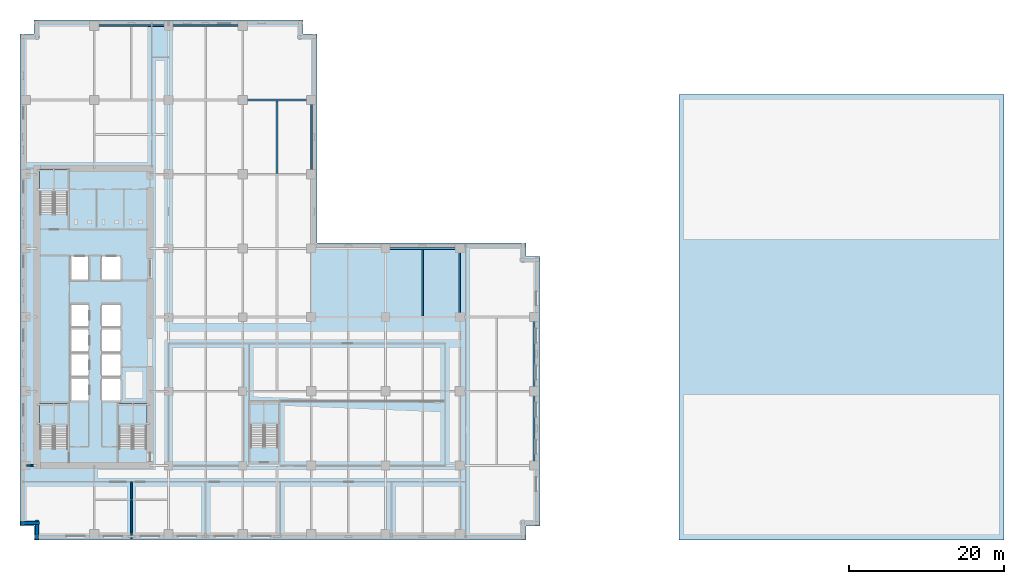
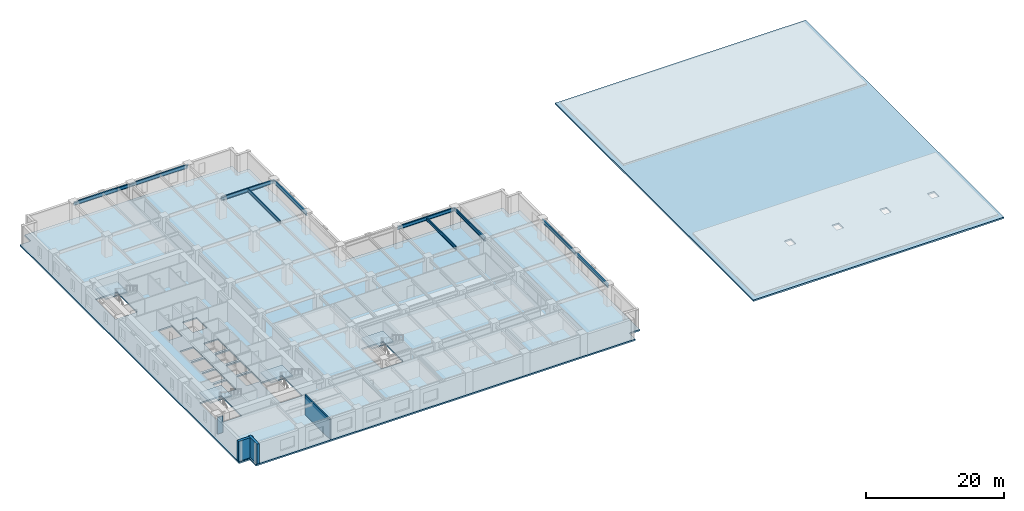
# One storey, part 3 of 14: 10 beams, 6 slabs, 4 walls, 4 elements without a shape of their own.
"""IFC4 building model written with IfcOpenShell, lengths in metres."""

from ifc_helpers import new_model, si_unit, direction, frame, frame_2d, origin, origin_2d, place, context, subcontext, project, spatial, polyline, rectangle, i_section, outline, extrude, material, layer, layer_set, material_profile, profile_set, type_object, element, aggregate, save


model = new_model("IFC4")

# Units and contexts
model_context = context("Model", 3, precision=1e-05, world=origin(), true_north=direction((0.0, 1.0)))
body_context = subcontext(model_context, "Body", "Model", "MODEL_VIEW")
ifc_project = project(units=[si_unit("LENGTHUNIT", "METRE"), si_unit("AREAUNIT", "SQUARE_METRE"), si_unit("VOLUMEUNIT", "CUBIC_METRE"), si_unit("PLANEANGLEUNIT", "RADIAN"), si_unit("MASSUNIT", "GRAM", prefix="KILO")], contexts=[model_context])

# Site, building, storey
site_placement = place(None, origin())
site = spatial("IfcSite", under=ifc_project, at=site_placement, CompositionType="ELEMENT")
building_placement = place(site_placement, origin())
building = spatial("IfcBuilding", under=site, at=building_placement, Name="Norrvale University Quadrangle", CompositionType="ELEMENT")
storey_placement = place(building_placement, frame((0.0, 0.0, 24.199951171875)))
storey = spatial("IfcBuildingStorey", under=building, at=storey_placement, Name="L05", CompositionType="ELEMENT", Elevation=24.199951171875)

# Beams
ifc_material_1 = material(Name="Steel 350W", Category="steel")
ifc_material_profile_1 = material_profile(ifc_material_1, i_section(OverallWidth=0.208984375, OverallDepth=0.532958984375, WebThickness=0.01025390625, FlangeThickness=0.015625, FilletRadius=0.013916015625, at=origin_2d()), Name="Steel 350W")
ifc_profile_set_1 = profile_set([ifc_material_profile_1], Name="Steel 350W")
beam_type_1 = type_object("IfcBeamType", Name="Beam Floor W530x92", PredefinedType="JOIST", material=ifc_profile_set_1)
beam_1_placement = place(storey_placement, frame((33.22509765625, 47.364990234375, 3.2734375), z_axis=(0.0, 1.0, 0.0), x_axis=(-1.0, 0.0, 0.0)))
element("IfcBeam", 1, at=beam_1_placement, inside=storey, type_object=beam_type_1, Name="Beam Floor W530x92 BM-L05-J091", PredefinedType="JOIST", context=body_context, shape_type="SweptSolid", body=[
    extrude(i_section(OverallWidth=0.208984375, OverallDepth=0.532958984375, WebThickness=0.01025390625, FlangeThickness=0.015625, FilletRadius=0.013916015625, at=origin_2d()), origin(), (0.0, 0.0, 1.0), 9.3701171875),
])
beam_2_placement = place(storey_placement, frame((52.050048828125, 28.9150390625, 3.2734375), z_axis=(0.0, 1.0, 0.0), x_axis=(-1.0, 0.0, 0.0)))
element("IfcBeam", 2, at=beam_2_placement, inside=storey, type_object=beam_type_1, Name="Beam Floor W530x92 BM-L05-J099", PredefinedType="JOIST", context=body_context, shape_type="SweptSolid", body=[
    extrude(i_section(OverallWidth=0.208984375, OverallDepth=0.532958984375, WebThickness=0.01025390625, FlangeThickness=0.015625, FilletRadius=0.013916015625, at=origin_2d()), origin(), (0.0, 0.0, 1.0), 8.619873046875),
])
ifc_material_profile_2 = material_profile(ifc_material_1, i_section(OverallWidth=0.22998046875, OverallDepth=0.616943359375, WebThickness=0.01318359375, FlangeThickness=0.022216796875, FilletRadius=0.01611328125, at=origin_2d()), Name="Steel 350W")
ifc_profile_set_2 = profile_set([ifc_material_profile_2], Name="Steel 350W")
beam_type_2 = type_object("IfcBeamType", Name="Beam Floor W610x140", PredefinedType="BEAM", material=ifc_profile_set_2)
beam_3_placement = place(storey_placement, frame((47.25, 37.64990234375, 3.2314453125), z_axis=(1.0, 0.0, 0.0), x_axis=(0.0, 1.0, 0.0)))
element("IfcBeam", 3, at=beam_3_placement, inside=storey, type_object=beam_type_2, Name="Beam Floor W610x140 BM-L05-GX024", PredefinedType="BEAM", context=body_context, shape_type="SweptSolid", body=[
    extrude(i_section(OverallWidth=0.22998046875, OverallDepth=0.616943359375, WebThickness=0.01318359375, FlangeThickness=0.022216796875, FilletRadius=0.01611328125, at=origin_2d()), origin(), (0.0, 0.0, 1.0), 9.60009765625),
])
beam_4_placement = place(storey_placement, frame((28.800048828125, 56.85009765625, 3.2314453125), z_axis=(1.0, 0.0, 0.0), x_axis=(0.0, 1.0, 0.0)))
element("IfcBeam", 4, at=beam_4_placement, inside=storey, type_object=beam_type_2, Name="Beam Floor W610x140 BM-L05-GX030", PredefinedType="BEAM", context=body_context, shape_type="SweptSolid", body=[
    extrude(i_section(OverallWidth=0.22998046875, OverallDepth=0.616943359375, WebThickness=0.01318359375, FlangeThickness=0.022216796875, FilletRadius=0.01611328125, at=origin_2d()), origin(), (0.0, 0.0, 1.0), 8.849853515625),
])
beam_5_placement = place(storey_placement, frame((9.60009765625, 66.449951171875, 3.2314453125), z_axis=(1.0, 0.0, 0.0), x_axis=(0.0, 1.0, 0.0)))
element("IfcBeam", 5, at=beam_5_placement, inside=storey, type_object=beam_type_2, Name="Beam Floor W610x140 BM-L05-GX031", PredefinedType="BEAM", context=body_context, shape_type="SweptSolid", body=[
    extrude(i_section(OverallWidth=0.22998046875, OverallDepth=0.616943359375, WebThickness=0.01318359375, FlangeThickness=0.022216796875, FilletRadius=0.01611328125, at=origin_2d()), origin(), (0.0, 0.0, 1.0), 9.599853515625),
])
for number, where, z_axis, x_axis, name in (
    (6, (19.199951171875, 66.449951171875, 3.2314453125), (1.0, 0.0, 0.0), (0.0, 1.0, 0.0), "Beam Floor W610x140 BM-L05-GX032"),
    (7, (37.64990234375, 47.25, 3.2314453125), (0.0, 1.0, 0.0), (-1.0, 0.0, 0.0), "Beam Floor W610x140 BM-L05-GY058"),
):
    element("IfcBeam", number, at=place(storey_placement, frame(where, z_axis=z_axis, x_axis=x_axis)), inside=storey, type_object=beam_type_2, Name=name, PredefinedType="BEAM", context=body_context, shape_type="SweptSolid", body=[
        extrude(i_section(OverallWidth=0.22998046875, OverallDepth=0.616943359375, WebThickness=0.01318359375, FlangeThickness=0.022216796875, FilletRadius=0.01611328125, at=origin_2d()), origin(), (0.0, 0.0, 1.0), 9.60009765625),
    ])
beam_6_placement = place(storey_placement, frame((56.85009765625, 28.800048828125, 3.2314453125), z_axis=(0.0, 1.0, 0.0), x_axis=(-1.0, 0.0, 0.0)))
element("IfcBeam", 8, at=beam_6_placement, inside=storey, type_object=beam_type_2, Name="Beam Floor W610x140 BM-L05-GY066", PredefinedType="BEAM", context=body_context, shape_type="SweptSolid", body=[
    extrude(i_section(OverallWidth=0.22998046875, OverallDepth=0.616943359375, WebThickness=0.01318359375, FlangeThickness=0.022216796875, FilletRadius=0.01611328125, at=origin_2d()), origin(), (0.0, 0.0, 1.0), 8.849853515625),
])
beam_7_placement = place(storey_placement, frame((66.449951171875, 9.60009765625, 3.2314453125), z_axis=(0.0, 1.0, 0.0), x_axis=(-1.0, 0.0, 0.0)))
element("IfcBeam", 9, at=beam_7_placement, inside=storey, type_object=beam_type_2, Name="Beam Floor W610x140 BM-L05-GY067", PredefinedType="BEAM", context=body_context, shape_type="SweptSolid", body=[
    extrude(i_section(OverallWidth=0.22998046875, OverallDepth=0.616943359375, WebThickness=0.01318359375, FlangeThickness=0.022216796875, FilletRadius=0.01611328125, at=origin_2d()), origin(), (0.0, 0.0, 1.0), 9.599853515625),
])
beam_8_placement = place(storey_placement, frame((66.449951171875, 19.199951171875, 3.2314453125), z_axis=(0.0, 1.0, 0.0), x_axis=(-1.0, 0.0, 0.0)))
element("IfcBeam", 10, at=beam_8_placement, inside=storey, type_object=beam_type_2, Name="Beam Floor W610x140 BM-L05-GY068", PredefinedType="BEAM", context=body_context, shape_type="SweptSolid", body=[
    extrude(i_section(OverallWidth=0.22998046875, OverallDepth=0.616943359375, WebThickness=0.01318359375, FlangeThickness=0.022216796875, FilletRadius=0.01611328125, at=origin_2d()), origin(), (0.0, 0.0, 1.0), 9.60009765625),
])

# Stair, slab
ifc_material_2 = material(Name="Concrete C40/50", Category="concrete")
stair_type = type_object("IfcStairType", Name="Stair Tower Typ 3800", PredefinedType="TWO_STRAIGHT_RUN_STAIR", material=ifc_material_2)
stair_1_placement = place(storey_placement, origin())
stair_1 = element("IfcStair", 11, at=stair_1_placement, inside=storey, type_object=stair_type, Name="Exit Stair ST-01 L05", PredefinedType="TWO_STRAIGHT_RUN_STAIR")
ifc_layer_1 = layer(ifc_material_2, 0.199951171875, Name="Concrete C40/50")
ifc_layer_set_1 = layer_set([ifc_layer_1], Name="Concrete C40/50")
slab_type_1 = type_object("IfcSlabType", Name="Slab Landing 200", PredefinedType="LANDING", material=ifc_layer_set_1)
slab_1_placement = place(storey_placement, frame((0.0, 0.0, 1.699951171875)))
slab_1 = element("IfcSlab", 12, at=slab_1_placement, type_object=slab_type_1, Name="Exit Stair ST-01 L05 Mid Landing", PredefinedType="LANDING", context=body_context, shape_type="SweptSolid", body=[
    extrude(outline(polyline([(2.550048828125, 14.590087890625), (6.199951171875, 14.590087890625), (6.199951171875, 17.64990234375), (2.550048828125, 17.64990234375), (2.550048828125, 14.590087890625)])), origin(), (0.0, 0.0, 1.0), 0.2001953125),
])
aggregate(stair_1, [slab_1])

stair_2_placement = place(storey_placement, origin())
stair_2 = element("IfcStair", 13, at=stair_2_placement, inside=storey, type_object=stair_type, Name="Exit Stair ST-02 L05", PredefinedType="TWO_STRAIGHT_RUN_STAIR")
slab_2_placement = place(storey_placement, frame((0.0, 0.0, 1.699951171875)))
slab_2 = element("IfcSlab", 14, at=slab_2_placement, type_object=slab_type_1, Name="Exit Stair ST-02 L05 Mid Landing", PredefinedType="LANDING", context=body_context, shape_type="SweptSolid", body=[
    extrude(outline(polyline([(2.550048828125, 44.889892578125), (6.199951171875, 44.889892578125), (6.199951171875, 47.949951171875), (2.550048828125, 47.949951171875), (2.550048828125, 44.889892578125)])), origin(), (0.0, 0.0, 1.0), 0.2001953125),
])
aggregate(stair_2, [slab_2])

stair_3_placement = place(storey_placement, origin())
stair_3 = element("IfcStair", 15, at=stair_3_placement, inside=storey, type_object=stair_type, Name="Exit Stair ST-03 L05", PredefinedType="TWO_STRAIGHT_RUN_STAIR")
slab_3_placement = place(storey_placement, frame((0.0, 0.0, 1.699951171875)))
slab_3 = element("IfcSlab", 16, at=slab_3_placement, type_object=slab_type_1, Name="Exit Stair ST-03 L05 Mid Landing", PredefinedType="LANDING", context=body_context, shape_type="SweptSolid", body=[
    extrude(outline(polyline([(12.75, 14.590087890625), (16.39990234375, 14.590087890625), (16.39990234375, 17.64990234375), (12.75, 17.64990234375), (12.75, 14.590087890625)])), origin(), (0.0, 0.0, 1.0), 0.2001953125),
])
aggregate(stair_3, [slab_3])

stair_4_placement = place(storey_placement, origin())
stair_4 = element("IfcStair", 17, at=stair_4_placement, inside=storey, type_object=stair_type, Name="Exit Stair ST-04 L05", PredefinedType="TWO_STRAIGHT_RUN_STAIR")
slab_4_placement = place(storey_placement, frame((0.0, 0.0, 1.699951171875)))
slab_4 = element("IfcSlab", 18, at=slab_4_placement, type_object=slab_type_1, Name="Exit Stair ST-04 L05 Mid Landing", PredefinedType="LANDING", context=body_context, shape_type="SweptSolid", body=[
    extrude(outline(polyline([(29.75, 14.739990234375), (33.39990234375, 14.739990234375), (33.39990234375, 17.800048828125), (29.75, 17.800048828125), (29.75, 14.739990234375)])), origin(), (0.0, 0.0, 1.0), 0.2001953125),
])
aggregate(stair_4, [slab_4])

# Slabs
ifc_material_3 = material(Name="Concrete C50/60", Category="concrete")
ifc_layer_2 = layer(ifc_material_3, 0.280029296875, Name="Concrete C50/60")
ifc_layer_set_2 = layer_set([ifc_layer_2], Name="Concrete C50/60")
slab_type_2 = type_object("IfcSlabType", Name="Slab Main Roof 280", PredefinedType="ROOF", material=ifc_layer_set_2)
slab_5_placement = place(storey_placement, frame((0.0, 0.0, -0.280029296875)))
element("IfcSlab", 19, at=slab_5_placement, inside=storey, type_object=slab_type_2, Name="Central Library Main Skylight Roof Slab", PredefinedType="ROOF", context=body_context, shape_type="SweptSolid", body=[
    extrude(outline(polyline([(85.199951171875, 0.0), (127.199951171875, 0.0), (127.199951171875, 57.60009765625), (85.199951171875, 57.60009765625), (85.199951171875, 0.0)]), holes=[polyline([(96.550048828125, 9.300048828125), (97.64990234375, 9.300048828125), (97.64990234375, 10.699951171875), (96.550048828125, 10.699951171875), (96.550048828125, 9.300048828125)]), polyline([(104.550048828125, 9.300048828125), (105.64990234375, 9.300048828125), (105.64990234375, 10.699951171875), (104.550048828125, 10.699951171875), (104.550048828125, 9.300048828125)]), polyline([(112.550048828125, 9.300048828125), (113.64990234375, 9.300048828125), (113.64990234375, 10.699951171875), (112.550048828125, 10.699951171875), (112.550048828125, 9.300048828125)]), polyline([(120.550048828125, 9.300048828125), (121.64990234375, 9.300048828125), (121.64990234375, 10.699951171875), (120.550048828125, 10.699951171875), (120.550048828125, 9.300048828125)])]), origin(), (0.0, 0.0, 1.0), 0.280029296875),
])
ifc_layer_3 = layer(ifc_material_2, 0.260009765625, Name="Concrete C40/50")
ifc_layer_set_3 = layer_set([ifc_layer_3], Name="Concrete C40/50")
slab_type_3 = type_object("IfcSlabType", Name="Slab Tower Typ 260", PredefinedType="FLOOR", material=ifc_layer_set_3)
slab_6_placement = place(storey_placement, frame((0.0, 0.0, -0.260009765625)))
element("IfcSlab", 20, at=slab_6_placement, inside=storey, type_object=slab_type_3, Name="Tower L05 Floor Slab", PredefinedType="FLOOR", context=body_context, shape_type="SweptSolid", body=[
    extrude(outline(polyline([(1.800048828125, 0.0), (65.39990234375, 0.0), (65.39990234375, 1.800048828125), (67.199951171875, 1.800048828125), (67.199951171875, 36.60009765625), (65.39990234375, 36.60009765625), (65.39990234375, 38.39990234375), (38.39990234375, 38.39990234375), (38.39990234375, 65.39990234375), (36.60009765625, 65.39990234375), (36.60009765625, 67.199951171875), (1.800048828125, 67.199951171875), (1.800048828125, 65.39990234375), (0.0, 65.39990234375), (0.0, 1.800048828125), (1.800048828125, 1.800048828125), (1.800048828125, 0.0)]), holes=[polyline([(2.550048828125, 11.81005859375), (6.199951171875, 11.81005859375), (6.199951171875, 17.64990234375), (2.550048828125, 17.64990234375), (2.550048828125, 11.81005859375)]), polyline([(2.550048828125, 42.110107421875), (6.199951171875, 42.110107421875), (6.199951171875, 47.949951171875), (2.550048828125, 47.949951171875), (2.550048828125, 42.110107421875)]), polyline([(12.75, 11.81005859375), (16.39990234375, 11.81005859375), (16.39990234375, 17.64990234375), (12.75, 17.64990234375), (12.75, 11.81005859375)]), polyline([(29.75, 11.9599609375), (33.39990234375, 11.9599609375), (33.39990234375, 17.800048828125), (29.75, 17.800048828125), (29.75, 11.9599609375)]), polyline([(6.60009765625, 18.0), (8.85009765625, 18.0), (8.85009765625, 20.800048828125), (6.60009765625, 20.800048828125), (6.60009765625, 18.0)]), polyline([(6.60009765625, 21.199951171875), (8.85009765625, 21.199951171875), (8.85009765625, 24.0), (6.60009765625, 24.0), (6.60009765625, 21.199951171875)]), polyline([(6.60009765625, 24.39990234375), (8.85009765625, 24.39990234375), (8.85009765625, 27.199951171875), (6.60009765625, 27.199951171875), (6.60009765625, 24.39990234375)]), polyline([(6.60009765625, 27.60009765625), (8.85009765625, 27.60009765625), (8.85009765625, 30.39990234375), (6.60009765625, 30.39990234375), (6.60009765625, 27.60009765625)]), polyline([(10.60009765625, 18.0), (13.0, 18.0), (13.0, 20.800048828125), (10.60009765625, 20.800048828125), (10.60009765625, 18.0)]), polyline([(10.60009765625, 21.199951171875), (13.0, 21.199951171875), (13.0, 24.0), (10.60009765625, 24.0), (10.60009765625, 21.199951171875)]), polyline([(10.60009765625, 24.39990234375), (13.0, 24.39990234375), (13.0, 27.199951171875), (10.60009765625, 27.199951171875), (10.60009765625, 24.39990234375)]), polyline([(10.60009765625, 27.60009765625), (13.0, 27.60009765625), (13.0, 30.39990234375), (10.60009765625, 30.39990234375), (10.60009765625, 27.60009765625)]), polyline([(6.60009765625, 33.60009765625), (8.85009765625, 33.60009765625), (8.85009765625, 36.60009765625), (6.60009765625, 36.60009765625), (6.60009765625, 33.60009765625)]), polyline([(10.60009765625, 33.60009765625), (13.0, 33.60009765625), (13.0, 36.60009765625), (10.60009765625, 36.60009765625), (10.60009765625, 33.60009765625)])]), origin(), (0.0, 0.0, 1.0), 0.260009765625),
])

# Walls
ifc_material_4 = material(Name="Buff Norman Clay Brick Masonry", Category="masonry")
ifc_layer_4 = layer(ifc_material_4, 0.419921875, Name="Buff Norman Clay Brick Masonry")
ifc_layer_set_4 = layer_set([ifc_layer_4], Name="Buff Norman Clay Brick Masonry")
wall_type_1 = type_object("IfcWallType", Name="Wall Buff Brick 420", PredefinedType="SOLIDWALL", material=ifc_layer_set_4)
for number, where, z_axis, x_axis, name in (
    (21, (0.0400390625, 2.18994140625, 0.0), (0.0, 0.0, 1.0), (1.0, 0.0, 0.0), "Exterior Brick Facade Wall L05-15.1"),
    (22, (2.18994140625, 2.5400390625, 0.0), (0.0, 0.0, 1.0), (0.0, -1.0, 0.0), "Exterior Brick Facade Wall L05-16.1"),
):
    element("IfcWall", number, at=place(storey_placement, frame(where, z_axis=z_axis, x_axis=x_axis)), inside=storey, type_object=wall_type_1, Name=name, PredefinedType="SOLIDWALL", context=body_context, shape_type="SweptSolid", body=[
        extrude(rectangle(XDim=2.5, YDim=0.419921875, at=frame_2d((1.25, 0.0))), origin(), (0.0, 0.0, 1.0), 3.5400390625),
    ])
ifc_material_5 = material(Name="Acoustic Double-Stud Gypsum Partition")
ifc_layer_5 = layer(ifc_material_5, 0.179931640625, Name="Acoustic Double-Stud Gypsum Partition")
ifc_layer_set_5 = layer_set([ifc_layer_5], Name="Acoustic Double-Stud Gypsum Partition")
wall_type_2 = type_object("IfcWallType", Name="Wall Gypsum Lecture 180", PredefinedType="PARTITIONING", material=ifc_layer_set_5)
wall_1_placement = place(storey_placement, frame((14.39990234375, 0.219970703125, 0.0), z_axis=(0.0, 0.0, 1.0), x_axis=(0.0, 1.0, 0.0)))
element("IfcWall", 23, at=wall_1_placement, inside=storey, type_object=wall_type_2, Name="Interior Partition WL-L05-SP01", PredefinedType="PARTITIONING", context=body_context, shape_type="SweptSolid", body=[
    extrude(rectangle(XDim=7.280029296875, YDim=0.179931640625, at=frame_2d((3.64013671875, 0.0))), origin(), (0.0, 0.0, 1.0), 3.5400390625),
])
ifc_material_6 = material(Name="Concrete Blockwork 20 MPa Rated Wall", Category="masonry")
ifc_layer_6 = layer(ifc_material_6, 0.199951171875, Name="Concrete Blockwork 20 MPa Rated Wall")
ifc_layer_set_6 = layer_set([ifc_layer_6], Name="Concrete Blockwork 20 MPa Rated Wall")
wall_type_3 = type_object("IfcWallType", Name="Wall Lobby 200", PredefinedType="SOLIDWALL", material=ifc_layer_set_6)
wall_2_placement = place(storey_placement, frame((0.85009765625, 9.60009765625, 0.0), z_axis=(0.0, 0.0, 1.0), x_axis=(1.0, 0.0, 0.0)))
element("IfcWall", 24, at=wall_2_placement, inside=storey, type_object=wall_type_3, Name="Interior Partition WL-L05-CWRET-S", PredefinedType="SOLIDWALL", context=body_context, shape_type="SweptSolid", body=[
    extrude(rectangle(XDim=0.89501953125, YDim=0.199951171875, at=frame_2d((0.447509765625, 0.0))), origin(), (0.0, 0.0, 1.0), 2.923095703125),
])

save(model, "model.ifc")
